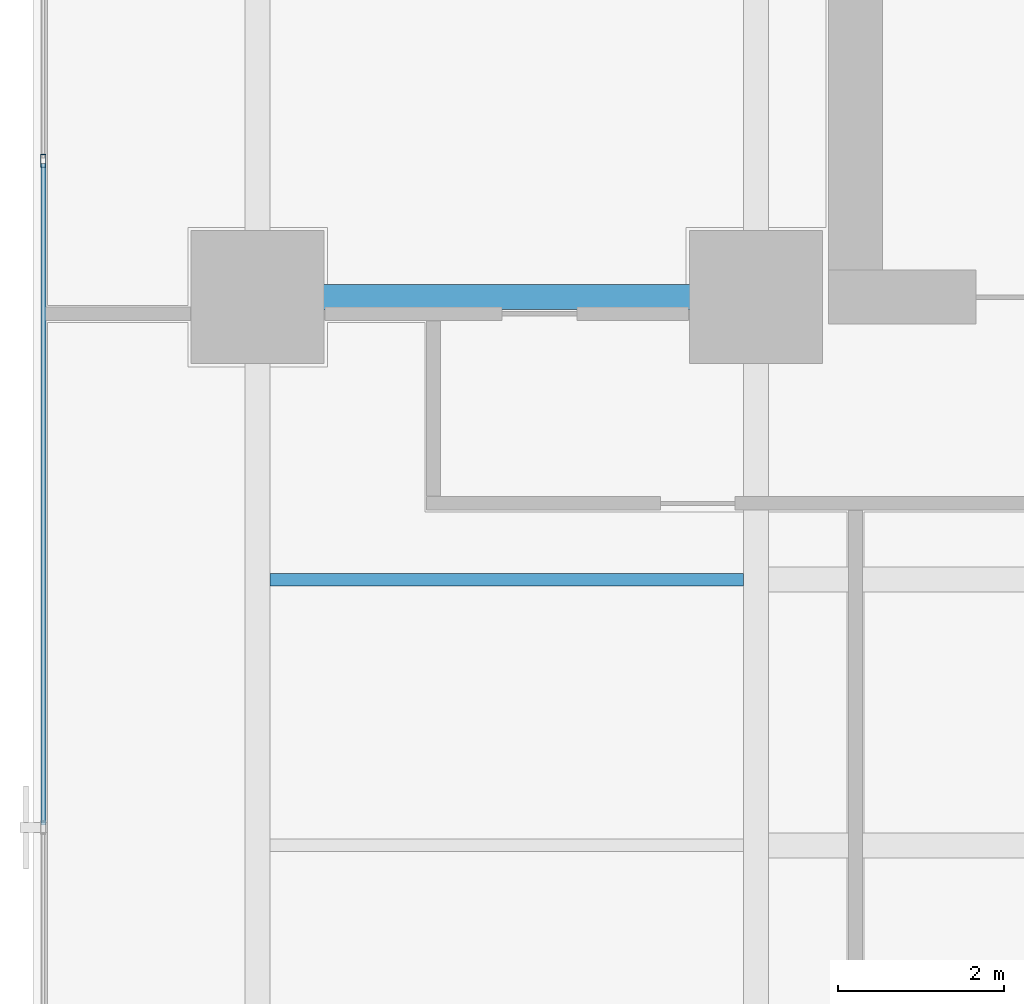
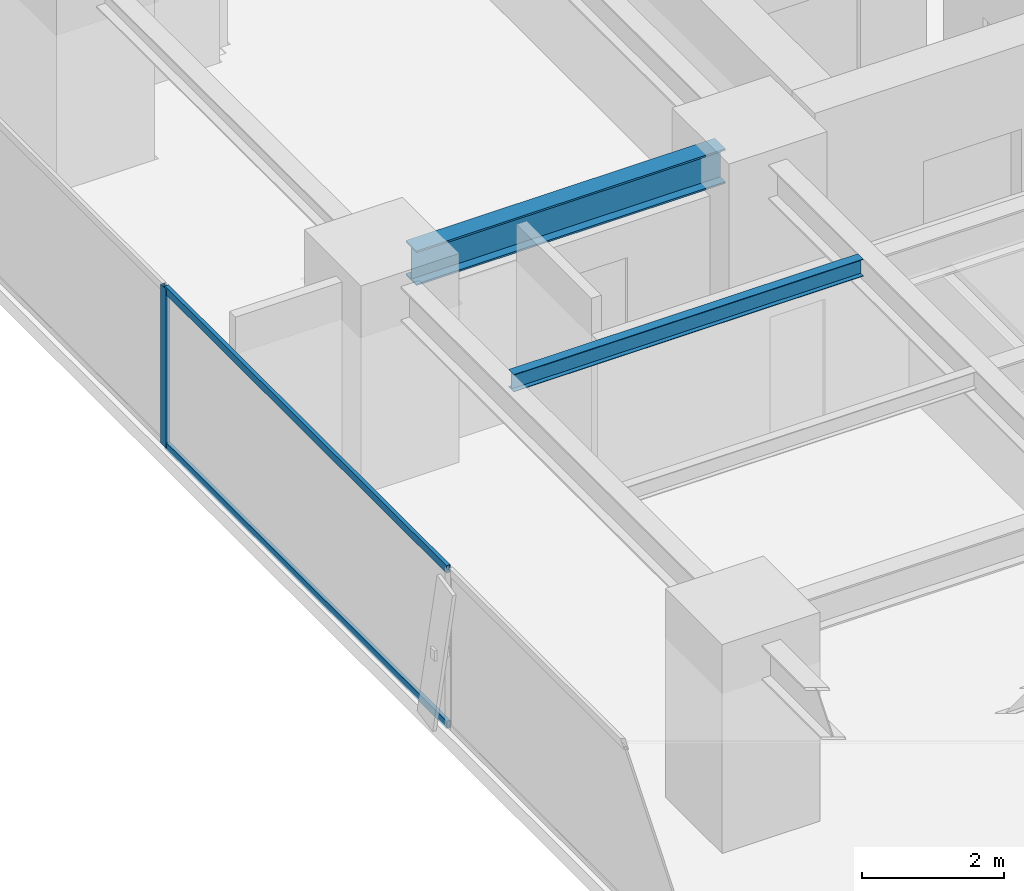
# One storey, part 17 of 35: 3 members, 2 beams, 1 element without a shape of its own.
"""IFC4 building model written with IfcOpenShell, lengths in metres."""

import ifcopenshell
import ifcopenshell.guid

model = None  # the IFC model being written
_history = None  # IfcOwnerHistory: only IFC2X3 demands one
_inside = {}  # id of a spatial element -> (the spatial element, [elements in it])
_under = {}  # id of a project, library or spatial element -> (it, [spatial elements below it])
_declared = {}  # id of a project -> (the project, [libraries it declares])
_typed = {}  # id of a type object -> (the type object, [elements of that type])
_made_of = {}  # id of a material, layer set ... -> (it, [elements and type objects made of it])


def new_model(schema):
    """Start an empty IFC model of exactly this schema.

    Asked for "IFC4X3", IfcOpenShell would pick the latest addendum, in which some entities
    have other attributes; the version numbers below select the first issue.
    IFC2X3 requires an IfcOwnerHistory on every rooted entity: one is made here for all.
    """
    global model, _history
    if schema == "IFC4X3":
        model = ifcopenshell.file(schema_version=(4, 3, 0, 0))
    else:
        model = ifcopenshell.file(schema=schema)
    _inside.clear()
    _under.clear()
    _declared.clear()
    _typed.clear()
    _made_of.clear()
    _history = None
    if model.schema == "IFC2X3":
        org = make("IfcOrganization", Name="unknown")
        user = make(
            "IfcPersonAndOrganization",
            ThePerson=make("IfcPerson", FamilyName="unknown"),
            TheOrganization=org,
        )
        app = make(
            "IfcApplication",
            ApplicationDeveloper=org,
            Version="unknown",
            ApplicationFullName="unknown",
            ApplicationIdentifier="unknown",
        )
        _history = make(
            "IfcOwnerHistory",
            OwningUser=user,
            OwningApplication=app,
            ChangeAction="ADDED",
            CreationDate=0,
        )
    return model


def make(cls, **values):
    """One entity of the class cls with the attributes given. An attribute that is None is left unset."""
    return model.create_entity(
        cls, **{name: value for name, value in values.items() if value is not None}
    )


def rooted(cls, **values):
    """An entity with a GlobalId (a new one), such as an element, a storey or a relation."""
    return make(cls, GlobalId=ifcopenshell.guid.new(), OwnerHistory=_history, **values)


def si_unit(unit_type, name, prefix=None):
    """IfcSIUnit, for example si_unit("LENGTHUNIT", "METRE", prefix="MILLI")."""
    return make("IfcSIUnit", UnitType=unit_type, Prefix=prefix, Name=name)


def assignment(units):
    """IfcUnitAssignment: the units of a project."""
    return None if units is None else make("IfcUnitAssignment", Units=units)


def point(xyz):
    """IfcCartesianPoint."""
    return None if xyz is None else make("IfcCartesianPoint", Coordinates=xyz)


def direction(xyz):
    """IfcDirection."""
    return None if xyz is None else make("IfcDirection", DirectionRatios=xyz)


def frame(location, z_axis=None, x_axis=None):
    """IfcAxis2Placement3D, a coordinate frame: its origin and axes. An axis left out is left unset."""
    return make(
        "IfcAxis2Placement3D",
        Location=point(location),
        Axis=direction(z_axis),
        RefDirection=direction(x_axis),
    )


def frame_2d(location, x_axis=None):
    """IfcAxis2Placement2D, a coordinate frame in the plane: its origin and x axis."""
    return make(
        "IfcAxis2Placement2D", Location=point(location), RefDirection=direction(x_axis)
    )


def origin():
    """The frame at (0, 0, 0) with its axes left unset."""
    return frame((0.0, 0.0, 0.0))


def origin_2d():
    """The frame at (0, 0) in the plane with its x axis left unset."""
    return frame_2d((0.0, 0.0))


def place(relative_to, where):
    """IfcLocalPlacement: puts the frame where relative to a parent placement (None: the world)."""
    return make(
        "IfcLocalPlacement", PlacementRelTo=relative_to, RelativePlacement=where
    )


def context(
    kind, dimensions, precision=None, world=None, true_north=None, identifier=None
):
    """IfcGeometricRepresentationContext, for example the 3D "Model" context."""
    return make(
        "IfcGeometricRepresentationContext",
        ContextIdentifier=identifier,
        ContextType=kind,
        CoordinateSpaceDimension=dimensions,
        Precision=precision,
        WorldCoordinateSystem=world,
        TrueNorth=true_north,
    )


def subcontext(parent, identifier, kind, view, scale=None):
    """IfcGeometricRepresentationSubContext, for example "Body" below "Model"."""
    return make(
        "IfcGeometricRepresentationSubContext",
        ContextIdentifier=identifier,
        ContextType=kind,
        ParentContext=parent,
        TargetScale=scale,
        TargetView=view,
    )


def project(units=None, contexts=None):
    """IfcProject with its units and contexts."""
    return rooted(
        "IfcProject",
        Name="project",
        RepresentationContexts=contexts,
        UnitsInContext=assignment(units),
    )


def spatial(cls, under=None, at=None, **own):
    """A site, building, storey or space (cls), placed at a placement, below another one or the project."""
    s = rooted(cls, ObjectPlacement=at, **own)
    if under is not None:
        _under.setdefault(under.id(), (under, []))[1].append(s)
    return s


def profile(cls, at=None, kind="AREA", **sizes):
    """A parametric profile (cls). Its sizes go by their IFC names, for example OverallWidth=200.0."""
    return make(cls, ProfileType=kind, Position=at, **sizes)


def hollow_rectangle(**sizes):
    """IfcRectangleHollowProfileDef."""
    return profile("IfcRectangleHollowProfileDef", **sizes)


def i_section(**sizes):
    """IfcIShapeProfileDef."""
    return profile("IfcIShapeProfileDef", **sizes)


def extrude(swept, where, along, depth):
    """IfcExtrudedAreaSolid: the profile swept, set in the frame where, extruded along a direction by depth."""
    return make(
        "IfcExtrudedAreaSolid",
        SweptArea=swept,
        Position=where,
        ExtrudedDirection=direction(along),
        Depth=depth,
    )


def shape(context_of_items, identifier, shape_type, items):
    """IfcShapeRepresentation: the items that make up one representation, for example the "Body"."""
    return make(
        "IfcShapeRepresentation",
        ContextOfItems=context_of_items,
        RepresentationIdentifier=identifier,
        RepresentationType=shape_type,
        Items=items,
    )


def source(mapping_origin, context_of_items, identifier, shape_type, items):
    """IfcRepresentationMap: a shape defined once, which mapped items show again and again."""
    return make(
        "IfcRepresentationMap",
        MappingOrigin=mapping_origin,
        MappedRepresentation=shape(context_of_items, identifier, shape_type, items),
    )


def transform(
    local_origin,
    x_axis=None,
    y_axis=None,
    z_axis=None,
    scale=None,
    scale2=None,
    scale3=None,
    uniform=True,
):
    """IfcCartesianTransformationOperator3D, or its non-uniform kind. x_axis, y_axis, z_axis: its Axis1, 2, 3."""
    if uniform:
        return make(
            "IfcCartesianTransformationOperator3D",
            Axis1=direction(x_axis),
            Axis2=direction(y_axis),
            LocalOrigin=point(local_origin),
            Scale=scale,
            Axis3=direction(z_axis),
        )
    return make(
        "IfcCartesianTransformationOperator3DnonUniform",
        Axis1=direction(x_axis),
        Axis2=direction(y_axis),
        LocalOrigin=point(local_origin),
        Scale=scale,
        Axis3=direction(z_axis),
        Scale2=scale2,
        Scale3=scale3,
    )


def mapped(mapping_source, mapping_target):
    """IfcMappedItem: shows the shape of a source again, moved by a transform."""
    return make(
        "IfcMappedItem", MappingSource=mapping_source, MappingTarget=mapping_target
    )


def material(Name=None, Category=None):
    """IfcMaterial."""
    return make("IfcMaterial", Name=Name, Category=Category)


def layer(
    of_material, thickness, ventilated=None, Name=None, Category=None, Priority=None
):
    """IfcMaterialLayer: one layer of a wall or slab, of a material (None: an air gap)."""
    return make(
        "IfcMaterialLayer",
        Material=of_material,
        LayerThickness=thickness,
        IsVentilated=ventilated,
        Name=Name,
        Category=Category,
        Priority=Priority,
    )


def layer_set(layers, Name=None):
    """IfcMaterialLayerSet."""
    return make("IfcMaterialLayerSet", MaterialLayers=layers, LayerSetName=Name)


def material_profile(
    of_material, cross_section, Name=None, Category=None, Priority=None
):
    """IfcMaterialProfile: a cross section and its material."""
    return make(
        "IfcMaterialProfile",
        Name=Name,
        Material=of_material,
        Profile=cross_section,
        Priority=Priority,
        Category=Category,
    )


def profile_set(profiles, Name=None, composite=None):
    """IfcMaterialProfileSet."""
    return make(
        "IfcMaterialProfileSet",
        Name=Name,
        MaterialProfiles=profiles,
        CompositeProfile=composite,
    )


def made_of(thing, what):
    """Note that an element or type object is made of a material, layer set ...; save() writes the relation."""
    if what is not None:
        _made_of.setdefault(what.id(), (what, []))[1].append(thing)
    return thing


def type_object(cls, material=None, **own):
    """A type object (cls), such as IfcWallType, which elements share."""
    return made_of(rooted(cls, **own), material)


def element(
    cls,
    number,
    at=None,
    inside=None,
    cuts=None,
    type_object=None,
    material=None,
    context=None,
    identifier="Body",
    shape_type=None,
    held_by="IfcProductDefinitionShape",
    body=None,
    shapes=None,
    **own,
):
    """One element of the class cls, such as IfcWall. Its Tag is "e" and its number.

    at: its placement. inside: the storey or other place that contains it. cuts: it is an
    opening in that element (IfcRelVoidsElement). A single representation is given by context,
    identifier, shape_type and body (its items); several are given by shapes. held_by: the class
    of the entity that holds the representations. save() writes the other relations.
    """
    e = rooted(cls, Tag="e%d" % number, ObjectPlacement=at, **own)
    if body is not None:
        shapes = [shape(context, identifier, shape_type, body)]
    if shapes is not None:
        e.Representation = make(held_by, Representations=shapes)
    if inside is not None:
        _inside.setdefault(inside.id(), (inside, []))[1].append(e)
    if cuts is not None:
        rooted(
            "IfcRelVoidsElement", RelatingBuildingElement=cuts, RelatedOpeningElement=e
        )
    if type_object is not None:
        _typed.setdefault(type_object.id(), (type_object, []))[1].append(e)
    return made_of(e, material)


def aggregate(whole, parts):
    """IfcRelAggregates: a whole, such as a stair, and the parts it consists of."""
    return rooted("IfcRelAggregates", RelatingObject=whole, RelatedObjects=parts)


def save(model, path):
    """Write the relations noted so far, then the file.

    IfcRelAggregates (storeys below a building ...), IfcRelContainedInSpatialStructure (elements
    in a storey), IfcRelDefinesByType, IfcRelAssociatesMaterial and IfcRelDeclares: one each for
    every whole, place, type object, material and project.
    """
    for whole, parts in _under.values():
        aggregate(whole, parts)
    for where, things in _inside.values():
        rooted(
            "IfcRelContainedInSpatialStructure",
            RelatedElements=things,
            RelatingStructure=where,
        )
    for kind, things in _typed.values():
        rooted("IfcRelDefinesByType", RelatedObjects=things, RelatingType=kind)
    for what, things in _made_of.values():
        rooted("IfcRelAssociatesMaterial", RelatedObjects=things, RelatingMaterial=what)
    for by, libraries in _declared.values():
        rooted("IfcRelDeclares", RelatingContext=by, RelatedDefinitions=libraries)
    model.write(path)


model = new_model("IFC4")

# Units and contexts
model_context = context("Model", 3, precision=1e-05, world=origin(), true_north=direction((0.0, 1.0)))
body_context = subcontext(model_context, "Body", "Model", "MODEL_VIEW")
ifc_project = project(units=[si_unit("LENGTHUNIT", "METRE"), si_unit("AREAUNIT", "SQUARE_METRE"), si_unit("VOLUMEUNIT", "CUBIC_METRE"), si_unit("PLANEANGLEUNIT", "RADIAN"), si_unit("MASSUNIT", "GRAM", prefix="KILO")], contexts=[model_context])

# Site, building, storey
site_placement = place(None, origin())
site = spatial("IfcSite", under=ifc_project, at=site_placement, CompositionType="ELEMENT")
building_placement = place(site_placement, origin())
building = spatial("IfcBuilding", under=site, at=building_placement, Name="Sumidabori Civic Tower", CompositionType="ELEMENT")
storey_placement = place(building_placement, frame((0.0, 0.0, 102.800048828125)))
storey = spatial("IfcBuildingStorey", under=building, at=storey_placement, Name="L26", CompositionType="ELEMENT", Elevation=102.800048828125)

# Beams
ifc_material_1 = material(Name="Steel SN490", Category="steel")
ifc_material_profile_1 = material_profile(ifc_material_1, i_section(OverallWidth=0.300048828125, OverallDepth=0.60009765625, WebThickness=0.015380859375, FlangeThickness=0.030029296875, at=origin_2d()), Name="HE 600 B")
ifc_profile_set_1 = profile_set([ifc_material_profile_1], Name="Steel SN490")
beam_type_1 = type_object("IfcBeamType", Name="BM-GIRD-600", PredefinedType="BEAM", material=ifc_profile_set_1)
shared_shape_1 = source(origin(), body_context, "Body", "SweptSolid", [
    extrude(i_section(OverallWidth=0.300048828125, OverallDepth=0.60009765625, WebThickness=0.015380859375, FlangeThickness=0.030029296875, at=origin_2d()), origin(), (0.0, 0.0, 1.0), 5.0400390625),
])
beam_1_placement = place(storey_placement, frame((-22.320068359375, 10.199951171875, 3.06005859375), z_axis=(1.0, 0.0, 0.0), x_axis=(0.0, 1.0, 0.0)))
element("IfcBeam", 1, at=beam_1_placement, inside=storey, type_object=beam_type_1, Name="Primary Girder L26 GX-19", PredefinedType="BEAM", context=body_context, shape_type="MappedRepresentation", body=[
    mapped(shared_shape_1, transform((0.0, 0.0, 0.0), x_axis=(1.0, 0.0, 0.0), y_axis=(0.0, 1.0, 0.0), z_axis=(0.0, 0.0, 1.0), scale=1.0)),
])
ifc_material_profile_2 = material_profile(ifc_material_1, i_section(OverallWidth=0.14990234375, OverallDepth=0.300048828125, WebThickness=0.007080078125, FlangeThickness=0.0107421875, at=origin_2d()), Name="IPE 300")
ifc_profile_set_2 = profile_set([ifc_material_profile_2], Name="Steel SN490")
beam_type_2 = type_object("IfcBeamType", Name="BM-JST-300", PredefinedType="JOIST", material=ifc_profile_set_2)
shared_shape_2 = source(origin(), body_context, "Body", "SweptSolid", [
    extrude(i_section(OverallWidth=0.14990234375, OverallDepth=0.300048828125, WebThickness=0.007080078125, FlangeThickness=0.0107421875, at=origin_2d()), origin(), (0.0, 0.0, 1.0), 5.699951171875),
])
beam_2_placement = place(storey_placement, frame((-22.64990234375, 6.800048828125, 3.2099609375), z_axis=(1.0, 0.0, 0.0), x_axis=(0.0, 1.0, 0.0)))
element("IfcBeam", 2, at=beam_2_placement, inside=storey, type_object=beam_type_2, Name="Outer Bay Floor Joist L26 JSTO-49", PredefinedType="JOIST", context=body_context, shape_type="MappedRepresentation", body=[
    mapped(shared_shape_2, transform((0.0, 0.0, 0.0), x_axis=(1.0, 0.0, 0.0), y_axis=(0.0, 1.0, 0.0), z_axis=(0.0, 0.0, 1.0), scale=1.0)),
])

# Curtain wall, members
ifc_material_2 = material(Name="Anodised Bronze Aluminium AW-6063-T6", Category="aluminium")
ifc_layer = layer(ifc_material_2, 0.179931640625, Name="Anodised Bronze Aluminium AW-6063-T6")
ifc_layer_set = layer_set([ifc_layer], Name="Anodised Bronze Aluminium AW-6063-T6")
curtain_wall_type = type_object("IfcCurtainWallType", Name="CW-SYS-3", PredefinedType="NOTDEFINED", material=ifc_layer_set)
curtain_wall_placement = place(storey_placement, origin())
curtain_wall = element("IfcCurtainWall", 3, at=curtain_wall_placement, inside=storey, type_object=curtain_wall_type, Name="Curtain Wall CW:L26:R10", PredefinedType="NOTDEFINED")
ifc_material_profile_3 = material_profile(ifc_material_2, hollow_rectangle(XDim=0.06494140625, YDim=0.159912109375, WallThickness=0.0048828125, at=origin_2d()), Name="ALU MULLION 160x65")
ifc_profile_set_3 = profile_set([ifc_material_profile_3], Name="Anodised Bronze Aluminium AW-6063-T6")
member_type_1 = type_object("IfcMemberType", Name="CW-MUL-160", PredefinedType="MULLION", material=ifc_profile_set_3)
shared_shape_3 = source(origin(), body_context, "Body", "SweptSolid", [
    extrude(hollow_rectangle(XDim=0.06494140625, YDim=0.159912109375, WallThickness=0.0048828125, at=origin_2d()), origin(), (0.0, 0.0, 1.0), 2.739990234375),
])
member_1_placement = place(storey_placement, frame((-25.3798828125, 11.842041015625, 0.0), z_axis=(0.0, 0.0, 1.0), x_axis=(1.0, 0.0, 0.0)))
member_1 = element("IfcMember", 4, at=member_1_placement, type_object=member_type_1, Name="CW-3 mullion 2", PredefinedType="MULLION", context=body_context, shape_type="MappedRepresentation", body=[
    mapped(shared_shape_3, transform((0.0, 0.0, 0.0), x_axis=(1.0, 0.0, 0.0), y_axis=(0.0, 1.0, 0.0), z_axis=(0.0, 0.0, 1.0), scale=1.0)),
])
ifc_material_profile_4 = material_profile(ifc_material_2, hollow_rectangle(XDim=0.06005859375, YDim=0.1298828125, WallThickness=0.0048828125, at=origin_2d()), Name="ALU TRANSOM 130x60")
ifc_profile_set_4 = profile_set([ifc_material_profile_4], Name="Anodised Bronze Aluminium AW-6063-T6")
member_type_2 = type_object("IfcMemberType", Name="CW-TRN-130", PredefinedType="USERDEFINED", material=ifc_profile_set_4)
shared_shape_4 = source(origin(), body_context, "Body", "SweptSolid", [
    extrude(hollow_rectangle(XDim=0.06005859375, YDim=0.1298828125, WallThickness=0.0048828125, at=origin_2d()), origin(), (0.0, 0.0, 1.0), 7.963134765625),
])
member_2_placement = place(storey_placement, frame((-25.3798828125, 11.8095703125, 0.030029296875), z_axis=(0.0, -1.0, 0.0), x_axis=(1.0, 0.0, 0.0)))
member_2 = element("IfcMember", 5, at=member_2_placement, type_object=member_type_2, Name="CW-3 transom 2.1", ObjectType="TRANSOM", PredefinedType="USERDEFINED", context=body_context, shape_type="MappedRepresentation", body=[
    mapped(shared_shape_4, transform((0.0, 0.0, 0.0), x_axis=(1.0, 0.0, 0.0), y_axis=(0.0, 1.0, 0.0), z_axis=(0.0, 0.0, 1.0), scale=1.0)),
])
member_3_placement = place(storey_placement, frame((-25.3798828125, 11.8095703125, 2.7099609375), z_axis=(0.0, -1.0, 0.0), x_axis=(1.0, 0.0, 0.0)))
member_3 = element("IfcMember", 6, at=member_3_placement, type_object=member_type_2, Name="CW-3 transom 2.2", ObjectType="TRANSOM", PredefinedType="USERDEFINED", context=body_context, shape_type="MappedRepresentation", body=[
    mapped(shared_shape_4, transform((0.0, 0.0, 0.0), x_axis=(1.0, 0.0, 0.0), y_axis=(0.0, 1.0, 0.0), z_axis=(0.0, 0.0, 1.0), scale=1.0)),
])
aggregate(curtain_wall, [member_1, member_2, member_3])

save(model, "model.ifc")
